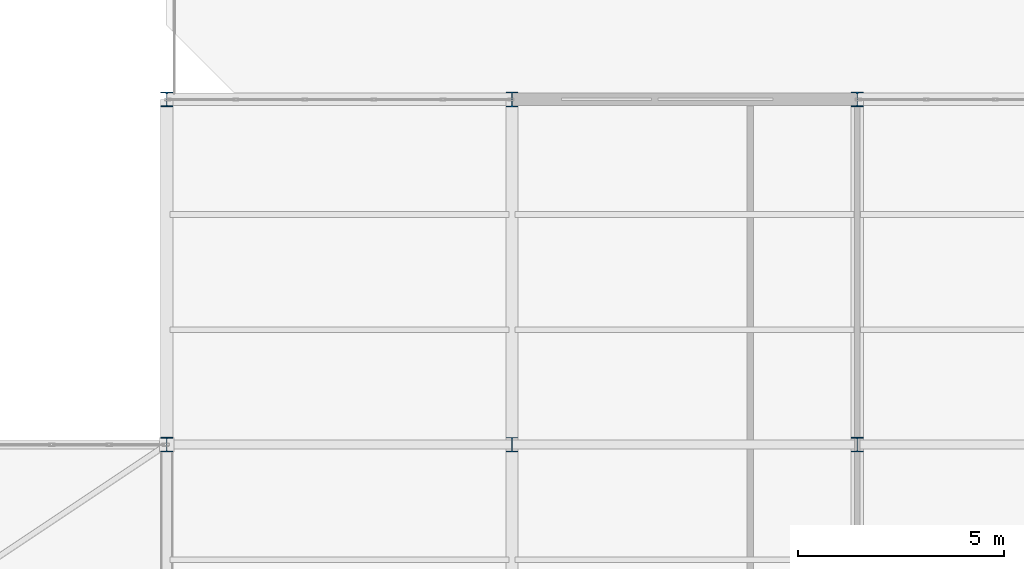
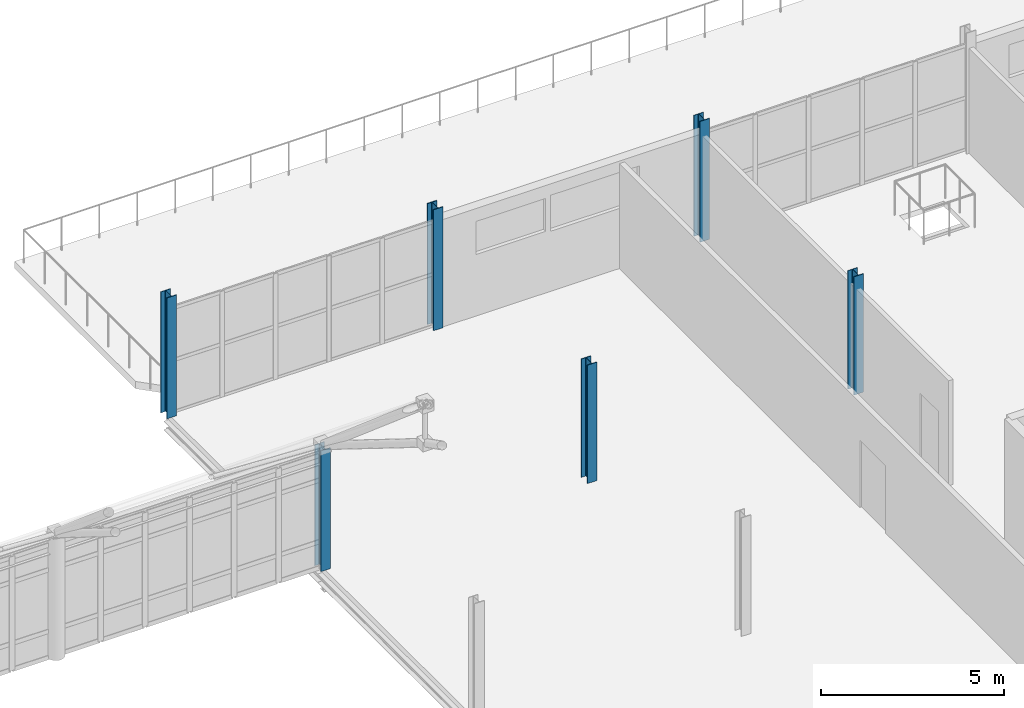
# One storey, part 8 of 184: 6 columns.
"""IFC4 building model written with IfcOpenShell, lengths in metres."""

from ifc_helpers import new_model, si_unit, direction, frame, origin, origin_2d, place, context, subcontext, project, spatial, i_section, extrude, material, material_profile, profile_set, type_object, element, save


model = new_model("IFC4")

# Units and contexts
model_context = context("Model", 3, precision=1e-05, world=origin(), true_north=direction((0.0, 1.0)))
body_context = subcontext(model_context, "Body", "Model", "MODEL_VIEW")
ifc_project = project(units=[si_unit("LENGTHUNIT", "METRE"), si_unit("AREAUNIT", "SQUARE_METRE"), si_unit("VOLUMEUNIT", "CUBIC_METRE"), si_unit("PLANEANGLEUNIT", "RADIAN"), si_unit("MASSUNIT", "GRAM", prefix="KILO")], contexts=[model_context])

# Site, building, storey
site_placement = place(None, origin())
site = spatial("IfcSite", under=ifc_project, at=site_placement, CompositionType="ELEMENT")
building_placement = place(site_placement, origin())
building = spatial("IfcBuilding", under=site, at=building_placement, Name="Qalvenar Corner Mobility Hub", CompositionType="ELEMENT")
storey_placement = place(building_placement, frame((0.0, 0.0, 9.0)))
storey = spatial("IfcBuildingStorey", under=building, at=storey_placement, Name="L02", CompositionType="ELEMENT", Elevation=9.0)

# Columns
ifc_material = material(Name="Steel S355", Category="steel")
ifc_material_profile_1 = material_profile(ifc_material, i_section(OverallWidth=0.300048828125, OverallDepth=0.35009765625, WebThickness=0.010009765625, FlangeThickness=0.017578125, FilletRadius=0.027099609375, at=origin_2d()), Name="HEA360")
ifc_profile_set_1 = profile_set([ifc_material_profile_1], Name="Steel S355")
column_type_1 = type_object("IfcColumnType", Name="COL-HEA360", PredefinedType="COLUMN", material=ifc_profile_set_1)
for number, where, z_axis, x_axis, name in (
    (1, (109.199951171875, 33.60009765625, 0.0), (0.0, 0.0, 1.0), (1.0, 0.0, 0.0), "Steel Column L02-G14-4"),
    (2, (109.199951171875, 42.0, 0.0), (0.0, 0.0, 1.0), (1.0, 0.0, 0.0), "Steel Column L02-G14-5"),
):
    element("IfcColumn", number, at=place(storey_placement, frame(where, z_axis=z_axis, x_axis=x_axis)), inside=storey, type_object=column_type_1, Name=name, PredefinedType="COLUMN", context=body_context, shape_type="SweptSolid", body=[
        extrude(i_section(OverallWidth=0.300048828125, OverallDepth=0.35009765625, WebThickness=0.010009765625, FlangeThickness=0.017578125, FilletRadius=0.027099609375, at=origin_2d()), origin(), (0.0, 0.0, 1.0), 4.030029296875),
    ])
column_1_placement = place(storey_placement, frame((126.0, 33.60009765625, 0.0), z_axis=(0.0, 0.0, 1.0), x_axis=(1.0, 0.0, 0.0)))
element("IfcColumn", 3, at=column_1_placement, inside=storey, type_object=column_type_1, Name="Steel Column L02-G16-4", PredefinedType="COLUMN", context=body_context, shape_type="SweptSolid", body=[
    extrude(i_section(OverallWidth=0.300048828125, OverallDepth=0.35009765625, WebThickness=0.010009765625, FlangeThickness=0.017578125, FilletRadius=0.027099609375, at=origin_2d()), origin(), (0.0, 0.0, 1.0), 3.945068359375),
])
column_2_placement = place(storey_placement, frame((126.0, 42.0, 0.0), z_axis=(0.0, 0.0, 1.0), x_axis=(1.0, 0.0, 0.0)))
element("IfcColumn", 4, at=column_2_placement, inside=storey, type_object=column_type_1, Name="Steel Column L02-G16-5", PredefinedType="COLUMN", context=body_context, shape_type="SweptSolid", body=[
    extrude(i_section(OverallWidth=0.300048828125, OverallDepth=0.35009765625, WebThickness=0.010009765625, FlangeThickness=0.017578125, FilletRadius=0.027099609375, at=origin_2d()), origin(), (0.0, 0.0, 1.0), 4.030029296875),
])
ifc_material_profile_2 = material_profile(ifc_material, i_section(OverallWidth=0.300048828125, OverallDepth=0.360107421875, WebThickness=0.012451171875, FlangeThickness=0.0224609375, FilletRadius=0.027099609375, at=origin_2d()), Name="HEB360")
ifc_profile_set_2 = profile_set([ifc_material_profile_2], Name="Steel S355")
column_type_2 = type_object("IfcColumnType", Name="COL-HEB360", PredefinedType="COLUMN", material=ifc_profile_set_2)
column_3_placement = place(storey_placement, frame((117.60009765625, 33.60009765625, 0.0), z_axis=(0.0, 0.0, 1.0), x_axis=(1.0, 0.0, 0.0)))
element("IfcColumn", 5, at=column_3_placement, inside=storey, type_object=column_type_2, Name="Steel Column L02-G15-4", PredefinedType="COLUMN", context=body_context, shape_type="SweptSolid", body=[
    extrude(i_section(OverallWidth=0.300048828125, OverallDepth=0.360107421875, WebThickness=0.012451171875, FlangeThickness=0.0224609375, FilletRadius=0.027099609375, at=origin_2d()), origin(), (0.0, 0.0, 1.0), 3.945068359375),
])
column_4_placement = place(storey_placement, frame((117.60009765625, 42.0, 0.0), z_axis=(0.0, 0.0, 1.0), x_axis=(1.0, 0.0, 0.0)))
element("IfcColumn", 6, at=column_4_placement, inside=storey, type_object=column_type_2, Name="Steel Column L02-G15-5", PredefinedType="COLUMN", context=body_context, shape_type="SweptSolid", body=[
    extrude(i_section(OverallWidth=0.300048828125, OverallDepth=0.360107421875, WebThickness=0.012451171875, FlangeThickness=0.0224609375, FilletRadius=0.027099609375, at=origin_2d()), origin(), (0.0, 0.0, 1.0), 4.030029296875),
])

save(model, "model.ifc")
